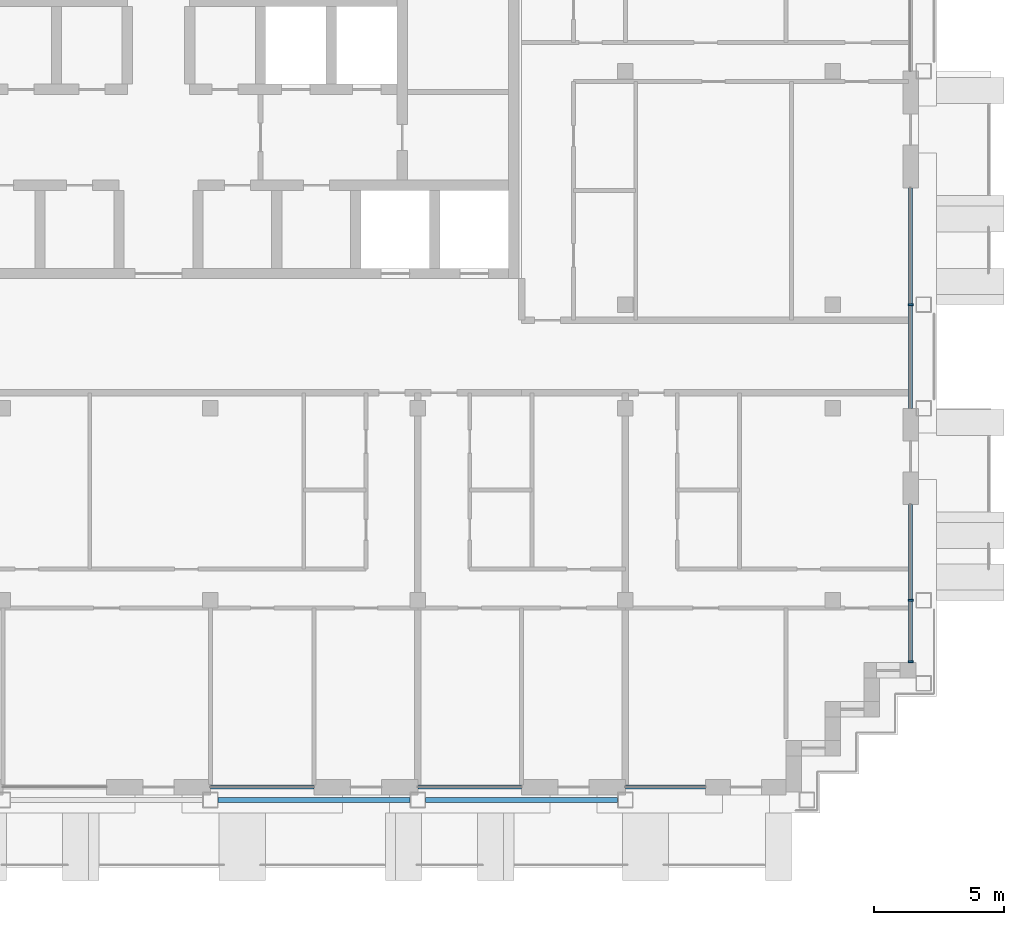
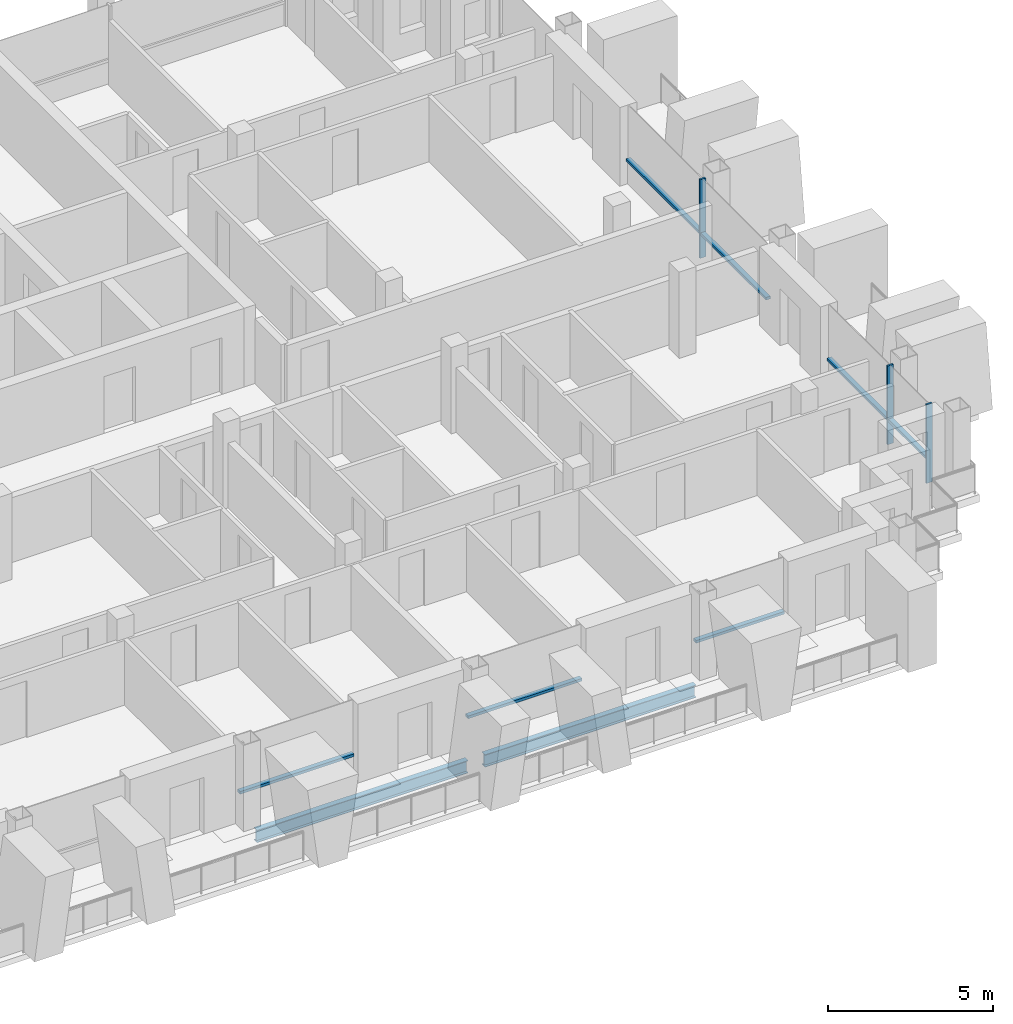
# One storey, part 3 of 16: 10 members, 2 beams, 5 elements without a shape of their own.
"""IFC4 building model written with IfcOpenShell, lengths in metres."""

from ifc_helpers import new_model, si_unit, direction, frame, origin, origin_2d, place, context, subcontext, project, spatial, rectangle, i_section, extrude, material, material_profile, profile_set, type_object, element, aggregate, save


model = new_model("IFC4")

# Units and contexts
model_context = context("Model", 3, precision=1e-05, world=origin(), true_north=direction((0.0, 1.0)))
body_context = subcontext(model_context, "Body", "Model", "MODEL_VIEW")
ifc_project = project(units=[si_unit("LENGTHUNIT", "METRE"), si_unit("AREAUNIT", "SQUARE_METRE"), si_unit("VOLUMEUNIT", "CUBIC_METRE"), si_unit("PLANEANGLEUNIT", "RADIAN"), si_unit("MASSUNIT", "GRAM", prefix="KILO")], contexts=[model_context])

# Site, building, storey
site_placement = place(None, origin())
site = spatial("IfcSite", under=ifc_project, at=site_placement, CompositionType="ELEMENT")
building_placement = place(site_placement, origin())
building = spatial("IfcBuilding", under=site, at=building_placement, Name="Vidyagriha Tower", CompositionType="ELEMENT")
storey_placement = place(building_placement, frame((0.0, 0.0, 207.60009765625)))
storey = spatial("IfcBuildingStorey", under=building, at=storey_placement, Name="L53", CompositionType="ELEMENT", Elevation=207.60009765625)

# Beams
ifc_material_1 = material(Name="Steel ASTM A992 Grade 50", Category="steel")
ifc_material_profile_1 = material_profile(ifc_material_1, i_section(OverallWidth=0.19189453125, OverallDepth=0.46240234375, WebThickness=0.010498046875, FlangeThickness=0.017578125, at=origin_2d()), Name="W18X60")
ifc_profile_set_1 = profile_set([ifc_material_profile_1], Name="Steel ASTM A992 Grade 50")
beam_type = type_object("IfcBeamType", Name="Edge beam W18X60", PredefinedType="SPANDREL", material=ifc_profile_set_1)
for number, where, z_axis, x_axis, name in (
    (1, (2.300048828125, -17.10009765625, -0.51123046875), (1.0, 0.0, 0.0), (0.0, 1.0, 0.0), "st-beam-L53-S03"),
    (2, (10.300048828125, -17.10009765625, -0.51123046875), (1.0, 0.0, 0.0), (0.0, 1.0, 0.0), "st-beam-L53-S04"),
):
    element("IfcBeam", number, at=place(storey_placement, frame(where, z_axis=z_axis, x_axis=x_axis)), inside=storey, type_object=beam_type, Name=name, PredefinedType="SPANDREL", context=body_context, shape_type="SweptSolid", body=[
        extrude(i_section(OverallWidth=0.19189453125, OverallDepth=0.46240234375, WebThickness=0.010498046875, FlangeThickness=0.017578125, at=origin_2d()), origin(), (0.0, 0.0, 1.0), 7.39990234375),
    ])

# Curtain wall, members
ifc_material_2 = material(Name="Aluminium and glass curtain wall", Category="aluminium")
curtain_wall_type = type_object("IfcCurtainWallType", Name="Dwelling skin unitised curtain wall", PredefinedType="USERDEFINED", material=ifc_material_2)
curtain_wall_1_placement = place(storey_placement, origin())
curtain_wall_1 = element("IfcCurtainWall", 3, at=curtain_wall_1_placement, inside=storey, type_object=curtain_wall_type, Name="CW1 dwelling skin", ObjectType="UNITISED", PredefinedType="USERDEFINED")
ifc_material_3 = material(Name="Aluminium black anodised", Category="aluminium")
ifc_material_profile_2 = material_profile(ifc_material_3, rectangle(XDim=0.199951171875, YDim=0.070068359375, at=origin_2d()), Name="Mullion 70x200 black aluminium")
ifc_profile_set_2 = profile_set([ifc_material_profile_2], Name="Aluminium black anodised")
member_type_1 = type_object("IfcMemberType", Name="Mullion 70x200 black aluminium", PredefinedType="MULLION", material=ifc_profile_set_2)
member_1_placement = place(storey_placement, frame((29.0, -11.764892578125, 0.0), z_axis=(0.0, 0.0, 1.0), x_axis=(-1.0, 0.0, 0.0)))
member_1 = element("IfcMember", 4, at=member_1_placement, type_object=member_type_1, Name="CW1 mullion 1", PredefinedType="MULLION", context=body_context, shape_type="SweptSolid", body=[
    extrude(rectangle(XDim=0.199951171875, YDim=0.070068359375, at=origin_2d()), origin(), (0.0, 0.0, 1.0), 2.919921875),
])
member_2_placement = place(storey_placement, frame((29.0, -9.39990234375, 0.0), z_axis=(0.0, 0.0, 1.0), x_axis=(-1.0, 0.0, 0.0)))
member_2 = element("IfcMember", 5, at=member_2_placement, type_object=member_type_1, Name="CW1 mullion 2", PredefinedType="MULLION", context=body_context, shape_type="SweptSolid", body=[
    extrude(rectangle(XDim=0.199951171875, YDim=0.070068359375, at=origin_2d()), origin(), (0.0, 0.0, 1.0), 2.919921875),
])

# Curtain wall, member
curtain_wall_2_placement = place(storey_placement, origin())
curtain_wall_2 = element("IfcCurtainWall", 6, at=curtain_wall_2_placement, inside=storey, type_object=curtain_wall_type, Name="CW1 dwelling skin", ObjectType="UNITISED", PredefinedType="USERDEFINED")
member_3_placement = place(storey_placement, frame((29.0, 2.0, 0.0), z_axis=(0.0, 0.0, 1.0), x_axis=(-1.0, 0.0, 0.0)))
member_3 = element("IfcMember", 7, at=member_3_placement, type_object=member_type_1, Name="CW1 mullion 2", PredefinedType="MULLION", context=body_context, shape_type="SweptSolid", body=[
    extrude(rectangle(XDim=0.199951171875, YDim=0.070068359375, at=origin_2d()), origin(), (0.0, 0.0, 1.0), 2.919921875),
])

curtain_wall_3_placement = place(storey_placement, origin())
curtain_wall_3 = element("IfcCurtainWall", 8, at=curtain_wall_3_placement, inside=storey, type_object=curtain_wall_type, Name="CW1 dwelling skin", ObjectType="UNITISED", PredefinedType="USERDEFINED")
ifc_material_4 = material(Name="Aluminium black anodised", Category="aluminium")
ifc_material_profile_3 = material_profile(ifc_material_4, rectangle(XDim=0.159912109375, YDim=0.10009765625, at=origin_2d()), Name="Transom 100x160 black aluminium")
ifc_profile_set_3 = profile_set([ifc_material_profile_3], Name="Aluminium black anodised")
member_type_2 = type_object("IfcMemberType", Name="Transom 100x160 black aluminium", PredefinedType="USERDEFINED", material=ifc_profile_set_3)
member_4_placement = place(storey_placement, frame((2.0, -16.60009765625, 0.89990234375), z_axis=(1.0, 0.0, 0.0), x_axis=(0.0, 1.0, 0.0)))
member_4 = element("IfcMember", 9, at=member_4_placement, type_object=member_type_2, Name="CW1 transom 1.1", ObjectType="TRANSOM", PredefinedType="USERDEFINED", context=body_context, shape_type="SweptSolid", body=[
    extrude(rectangle(XDim=0.159912109375, YDim=0.10009765625, at=origin_2d()), origin(), (0.0, 0.0, 1.0), 4.0),
])
aggregate(curtain_wall_3, [member_4])

curtain_wall_4_placement = place(storey_placement, origin())
curtain_wall_4 = element("IfcCurtainWall", 10, at=curtain_wall_4_placement, inside=storey, type_object=curtain_wall_type, Name="CW1 dwelling skin", ObjectType="UNITISED", PredefinedType="USERDEFINED")
member_5_placement = place(storey_placement, frame((10.0, -16.60009765625, 0.89990234375), z_axis=(1.0, 0.0, 0.0), x_axis=(0.0, 1.0, 0.0)))
member_5 = element("IfcMember", 11, at=member_5_placement, type_object=member_type_2, Name="CW1 transom 1.1", ObjectType="TRANSOM", PredefinedType="USERDEFINED", context=body_context, shape_type="SweptSolid", body=[
    extrude(rectangle(XDim=0.159912109375, YDim=0.10009765625, at=origin_2d()), origin(), (0.0, 0.0, 1.0), 4.0),
])
aggregate(curtain_wall_4, [member_5])

curtain_wall_5_placement = place(storey_placement, origin())
curtain_wall_5 = element("IfcCurtainWall", 12, at=curtain_wall_5_placement, inside=storey, type_object=curtain_wall_type, Name="CW1 dwelling skin", ObjectType="UNITISED", PredefinedType="USERDEFINED")
member_6_placement = place(storey_placement, frame((18.0, -16.60009765625, 0.89990234375), z_axis=(1.0, 0.0, 0.0), x_axis=(0.0, 1.0, 0.0)))
member_6 = element("IfcMember", 13, at=member_6_placement, type_object=member_type_2, Name="CW1 transom 1.1", ObjectType="TRANSOM", PredefinedType="USERDEFINED", context=body_context, shape_type="SweptSolid", body=[
    extrude(rectangle(XDim=0.159912109375, YDim=0.10009765625, at=origin_2d()), origin(), (0.0, 0.0, 1.0), 3.10009765625),
])
aggregate(curtain_wall_5, [member_6])

# Member
member_7_placement = place(storey_placement, frame((29.0, -11.72998046875, 0.89990234375), z_axis=(0.0, 1.0, 0.0), x_axis=(-1.0, 0.0, 0.0)))
member_7 = element("IfcMember", 14, at=member_7_placement, type_object=member_type_2, Name="CW1 transom 1.1", ObjectType="TRANSOM", PredefinedType="USERDEFINED", context=body_context, shape_type="SweptSolid", body=[
    extrude(rectangle(XDim=0.159912109375, YDim=0.10009765625, at=origin_2d()), origin(), (0.0, 0.0, 1.0), 2.294921875),
])

member_8_placement = place(storey_placement, frame((29.0, -9.364990234375, 0.89990234375), z_axis=(0.0, 1.0, 0.0), x_axis=(-1.0, 0.0, 0.0)))
member_8 = element("IfcMember", 15, at=member_8_placement, type_object=member_type_2, Name="CW1 transom 2.1", ObjectType="TRANSOM", PredefinedType="USERDEFINED", context=body_context, shape_type="SweptSolid", body=[
    extrude(rectangle(XDim=0.159912109375, YDim=0.10009765625, at=origin_2d()), origin(), (0.0, 0.0, 1.0), 3.6650390625),
])

aggregate(curtain_wall_1, [member_1, member_2, member_7, member_8])

member_9_placement = place(storey_placement, frame((29.0, -2.0, 0.89990234375), z_axis=(0.0, 1.0, 0.0), x_axis=(-1.0, 0.0, 0.0)))
member_9 = element("IfcMember", 16, at=member_9_placement, type_object=member_type_2, Name="CW1 transom 1.1", ObjectType="TRANSOM", PredefinedType="USERDEFINED", context=body_context, shape_type="SweptSolid", body=[
    extrude(rectangle(XDim=0.159912109375, YDim=0.10009765625, at=origin_2d()), origin(), (0.0, 0.0, 1.0), 3.965087890625),
])

member_10_placement = place(storey_placement, frame((29.0, 2.034912109375, 0.89990234375), z_axis=(0.0, 1.0, 0.0), x_axis=(-1.0, 0.0, 0.0)))
member_10 = element("IfcMember", 17, at=member_10_placement, type_object=member_type_2, Name="CW1 transom 2.1", ObjectType="TRANSOM", PredefinedType="USERDEFINED", context=body_context, shape_type="SweptSolid", body=[
    extrude(rectangle(XDim=0.159912109375, YDim=0.10009765625, at=origin_2d()), origin(), (0.0, 0.0, 1.0), 4.465087890625),
])

aggregate(curtain_wall_2, [member_3, member_9, member_10])

save(model, "model.ifc")
